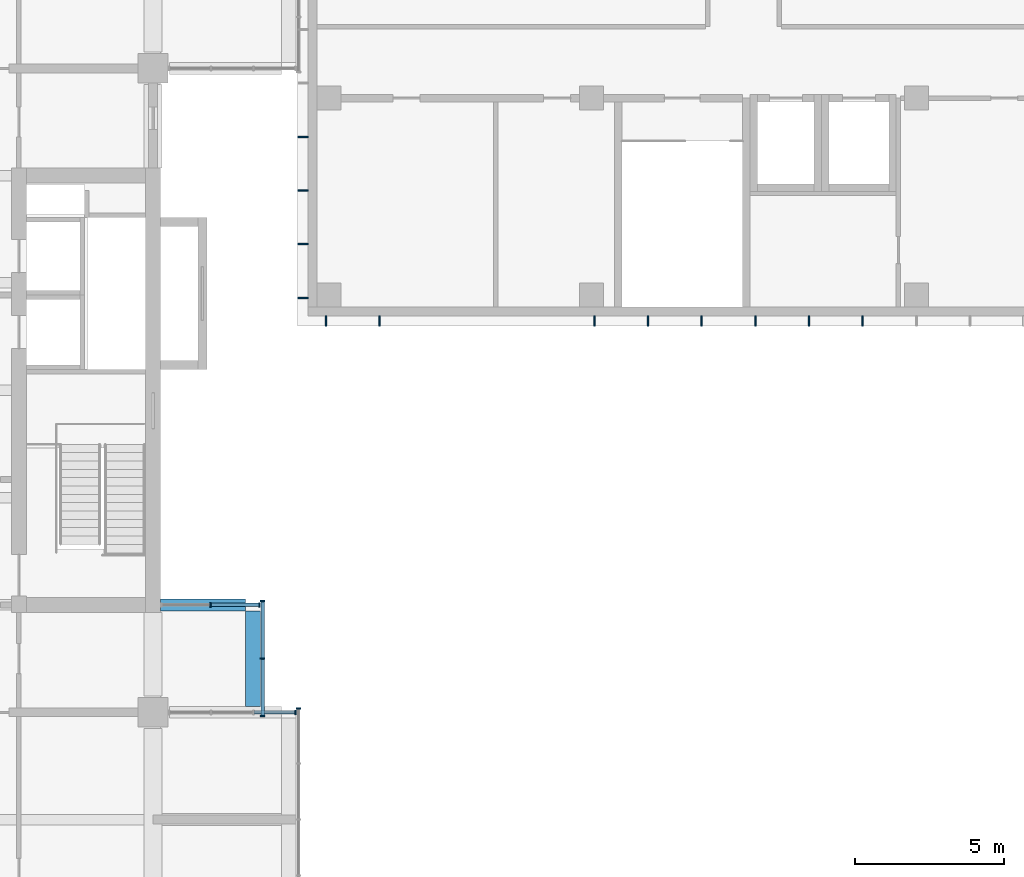
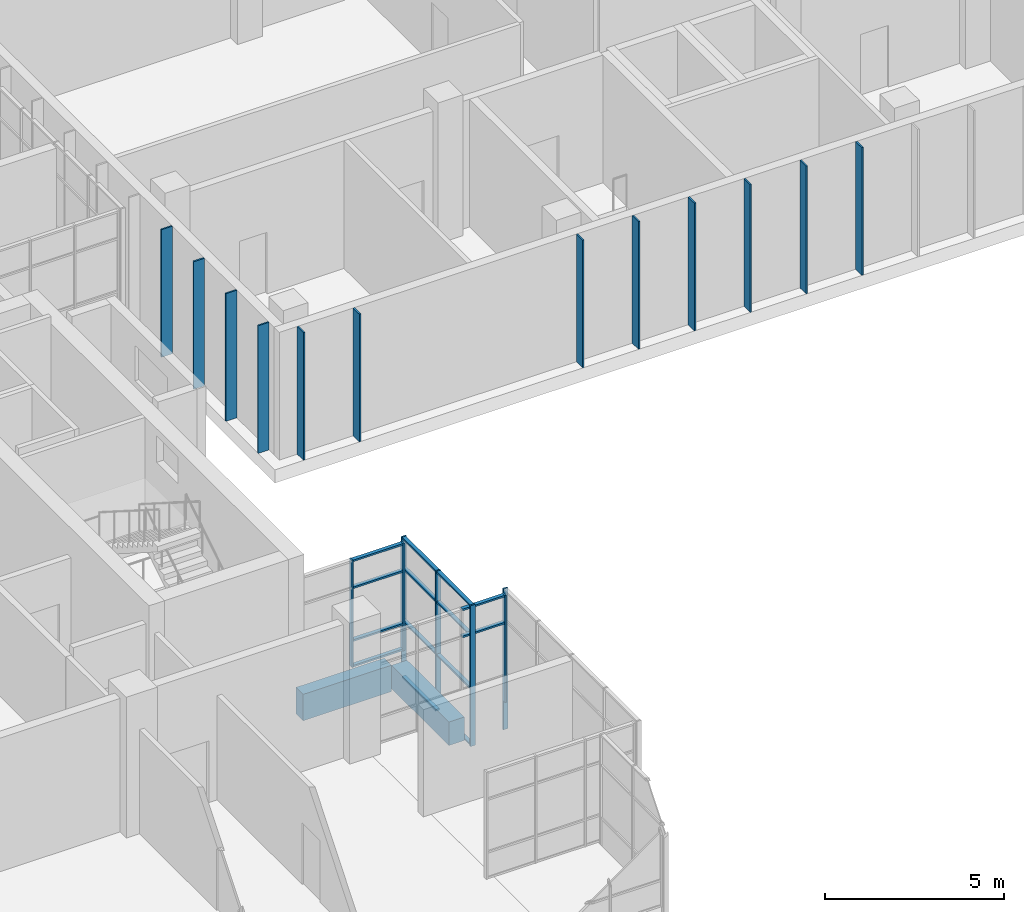
# One storey, part 17 of 45: 33 members, 2 beams, 4 elements without a shape of their own.
"""IFC4 building model written with IfcOpenShell, lengths in metres."""

import ifcopenshell
import ifcopenshell.guid

model = None  # the IFC model being written
_history = None  # IfcOwnerHistory: only IFC2X3 demands one
_inside = {}  # id of a spatial element -> (the spatial element, [elements in it])
_under = {}  # id of a project, library or spatial element -> (it, [spatial elements below it])
_declared = {}  # id of a project -> (the project, [libraries it declares])
_typed = {}  # id of a type object -> (the type object, [elements of that type])
_made_of = {}  # id of a material, layer set ... -> (it, [elements and type objects made of it])


def new_model(schema):
    """Start an empty IFC model of exactly this schema.

    Asked for "IFC4X3", IfcOpenShell would pick the latest addendum, in which some entities
    have other attributes; the version numbers below select the first issue.
    IFC2X3 requires an IfcOwnerHistory on every rooted entity: one is made here for all.
    """
    global model, _history
    if schema == "IFC4X3":
        model = ifcopenshell.file(schema_version=(4, 3, 0, 0))
    else:
        model = ifcopenshell.file(schema=schema)
    _inside.clear()
    _under.clear()
    _declared.clear()
    _typed.clear()
    _made_of.clear()
    _history = None
    if model.schema == "IFC2X3":
        org = make("IfcOrganization", Name="unknown")
        user = make(
            "IfcPersonAndOrganization",
            ThePerson=make("IfcPerson", FamilyName="unknown"),
            TheOrganization=org,
        )
        app = make(
            "IfcApplication",
            ApplicationDeveloper=org,
            Version="unknown",
            ApplicationFullName="unknown",
            ApplicationIdentifier="unknown",
        )
        _history = make(
            "IfcOwnerHistory",
            OwningUser=user,
            OwningApplication=app,
            ChangeAction="ADDED",
            CreationDate=0,
        )
    return model


def make(cls, **values):
    """One entity of the class cls with the attributes given. An attribute that is None is left unset."""
    return model.create_entity(
        cls, **{name: value for name, value in values.items() if value is not None}
    )


def rooted(cls, **values):
    """An entity with a GlobalId (a new one), such as an element, a storey or a relation."""
    return make(cls, GlobalId=ifcopenshell.guid.new(), OwnerHistory=_history, **values)


def si_unit(unit_type, name, prefix=None):
    """IfcSIUnit, for example si_unit("LENGTHUNIT", "METRE", prefix="MILLI")."""
    return make("IfcSIUnit", UnitType=unit_type, Prefix=prefix, Name=name)


def assignment(units):
    """IfcUnitAssignment: the units of a project."""
    return None if units is None else make("IfcUnitAssignment", Units=units)


def point(xyz):
    """IfcCartesianPoint."""
    return None if xyz is None else make("IfcCartesianPoint", Coordinates=xyz)


def direction(xyz):
    """IfcDirection."""
    return None if xyz is None else make("IfcDirection", DirectionRatios=xyz)


def frame(location, z_axis=None, x_axis=None):
    """IfcAxis2Placement3D, a coordinate frame: its origin and axes. An axis left out is left unset."""
    return make(
        "IfcAxis2Placement3D",
        Location=point(location),
        Axis=direction(z_axis),
        RefDirection=direction(x_axis),
    )


def frame_2d(location, x_axis=None):
    """IfcAxis2Placement2D, a coordinate frame in the plane: its origin and x axis."""
    return make(
        "IfcAxis2Placement2D", Location=point(location), RefDirection=direction(x_axis)
    )


def origin():
    """The frame at (0, 0, 0) with its axes left unset."""
    return frame((0.0, 0.0, 0.0))


def origin_2d():
    """The frame at (0, 0) in the plane with its x axis left unset."""
    return frame_2d((0.0, 0.0))


def place(relative_to, where):
    """IfcLocalPlacement: puts the frame where relative to a parent placement (None: the world)."""
    return make(
        "IfcLocalPlacement", PlacementRelTo=relative_to, RelativePlacement=where
    )


def context(
    kind, dimensions, precision=None, world=None, true_north=None, identifier=None
):
    """IfcGeometricRepresentationContext, for example the 3D "Model" context."""
    return make(
        "IfcGeometricRepresentationContext",
        ContextIdentifier=identifier,
        ContextType=kind,
        CoordinateSpaceDimension=dimensions,
        Precision=precision,
        WorldCoordinateSystem=world,
        TrueNorth=true_north,
    )


def subcontext(parent, identifier, kind, view, scale=None):
    """IfcGeometricRepresentationSubContext, for example "Body" below "Model"."""
    return make(
        "IfcGeometricRepresentationSubContext",
        ContextIdentifier=identifier,
        ContextType=kind,
        ParentContext=parent,
        TargetScale=scale,
        TargetView=view,
    )


def project(units=None, contexts=None):
    """IfcProject with its units and contexts."""
    return rooted(
        "IfcProject",
        Name="project",
        RepresentationContexts=contexts,
        UnitsInContext=assignment(units),
    )


def spatial(cls, under=None, at=None, **own):
    """A site, building, storey or space (cls), placed at a placement, below another one or the project."""
    s = rooted(cls, ObjectPlacement=at, **own)
    if under is not None:
        _under.setdefault(under.id(), (under, []))[1].append(s)
    return s


def profile(cls, at=None, kind="AREA", **sizes):
    """A parametric profile (cls). Its sizes go by their IFC names, for example OverallWidth=200.0."""
    return make(cls, ProfileType=kind, Position=at, **sizes)


def rectangle(**sizes):
    """IfcRectangleProfileDef."""
    return profile("IfcRectangleProfileDef", **sizes)


def extrude(swept, where, along, depth):
    """IfcExtrudedAreaSolid: the profile swept, set in the frame where, extruded along a direction by depth."""
    return make(
        "IfcExtrudedAreaSolid",
        SweptArea=swept,
        Position=where,
        ExtrudedDirection=direction(along),
        Depth=depth,
    )


def shape(context_of_items, identifier, shape_type, items):
    """IfcShapeRepresentation: the items that make up one representation, for example the "Body"."""
    return make(
        "IfcShapeRepresentation",
        ContextOfItems=context_of_items,
        RepresentationIdentifier=identifier,
        RepresentationType=shape_type,
        Items=items,
    )


def material(Name=None, Category=None):
    """IfcMaterial."""
    return make("IfcMaterial", Name=Name, Category=Category)


def layer(
    of_material, thickness, ventilated=None, Name=None, Category=None, Priority=None
):
    """IfcMaterialLayer: one layer of a wall or slab, of a material (None: an air gap)."""
    return make(
        "IfcMaterialLayer",
        Material=of_material,
        LayerThickness=thickness,
        IsVentilated=ventilated,
        Name=Name,
        Category=Category,
        Priority=Priority,
    )


def layer_set(layers, Name=None):
    """IfcMaterialLayerSet."""
    return make("IfcMaterialLayerSet", MaterialLayers=layers, LayerSetName=Name)


def material_profile(
    of_material, cross_section, Name=None, Category=None, Priority=None
):
    """IfcMaterialProfile: a cross section and its material."""
    return make(
        "IfcMaterialProfile",
        Name=Name,
        Material=of_material,
        Profile=cross_section,
        Priority=Priority,
        Category=Category,
    )


def profile_set(profiles, Name=None, composite=None):
    """IfcMaterialProfileSet."""
    return make(
        "IfcMaterialProfileSet",
        Name=Name,
        MaterialProfiles=profiles,
        CompositeProfile=composite,
    )


def made_of(thing, what):
    """Note that an element or type object is made of a material, layer set ...; save() writes the relation."""
    if what is not None:
        _made_of.setdefault(what.id(), (what, []))[1].append(thing)
    return thing


def type_object(cls, material=None, **own):
    """A type object (cls), such as IfcWallType, which elements share."""
    return made_of(rooted(cls, **own), material)


def element(
    cls,
    number,
    at=None,
    inside=None,
    cuts=None,
    type_object=None,
    material=None,
    context=None,
    identifier="Body",
    shape_type=None,
    held_by="IfcProductDefinitionShape",
    body=None,
    shapes=None,
    **own,
):
    """One element of the class cls, such as IfcWall. Its Tag is "e" and its number.

    at: its placement. inside: the storey or other place that contains it. cuts: it is an
    opening in that element (IfcRelVoidsElement). A single representation is given by context,
    identifier, shape_type and body (its items); several are given by shapes. held_by: the class
    of the entity that holds the representations. save() writes the other relations.
    """
    e = rooted(cls, Tag="e%d" % number, ObjectPlacement=at, **own)
    if body is not None:
        shapes = [shape(context, identifier, shape_type, body)]
    if shapes is not None:
        e.Representation = make(held_by, Representations=shapes)
    if inside is not None:
        _inside.setdefault(inside.id(), (inside, []))[1].append(e)
    if cuts is not None:
        rooted(
            "IfcRelVoidsElement", RelatingBuildingElement=cuts, RelatedOpeningElement=e
        )
    if type_object is not None:
        _typed.setdefault(type_object.id(), (type_object, []))[1].append(e)
    return made_of(e, material)


def aggregate(whole, parts):
    """IfcRelAggregates: a whole, such as a stair, and the parts it consists of."""
    return rooted("IfcRelAggregates", RelatingObject=whole, RelatedObjects=parts)


def save(model, path):
    """Write the relations noted so far, then the file.

    IfcRelAggregates (storeys below a building ...), IfcRelContainedInSpatialStructure (elements
    in a storey), IfcRelDefinesByType, IfcRelAssociatesMaterial and IfcRelDeclares: one each for
    every whole, place, type object, material and project.
    """
    for whole, parts in _under.values():
        aggregate(whole, parts)
    for where, things in _inside.values():
        rooted(
            "IfcRelContainedInSpatialStructure",
            RelatedElements=things,
            RelatingStructure=where,
        )
    for kind, things in _typed.values():
        rooted("IfcRelDefinesByType", RelatedObjects=things, RelatingType=kind)
    for what, things in _made_of.values():
        rooted("IfcRelAssociatesMaterial", RelatedObjects=things, RelatingMaterial=what)
    for by, libraries in _declared.values():
        rooted("IfcRelDeclares", RelatingContext=by, RelatedDefinitions=libraries)
    model.write(path)


model = new_model("IFC4")

# Units and contexts
model_context = context("Model", 3, precision=1e-05, world=origin(), true_north=direction((0.0, 1.0)))
body_context = subcontext(model_context, "Body", "Model", "MODEL_VIEW")
ifc_project = project(units=[si_unit("LENGTHUNIT", "METRE"), si_unit("AREAUNIT", "SQUARE_METRE"), si_unit("VOLUMEUNIT", "CUBIC_METRE"), si_unit("PLANEANGLEUNIT", "RADIAN"), si_unit("MASSUNIT", "GRAM", prefix="KILO")], contexts=[model_context])

# Site, building, storey
site_placement = place(None, origin())
site = spatial("IfcSite", under=ifc_project, at=site_placement, CompositionType="ELEMENT")
building_placement = place(site_placement, origin())
building = spatial("IfcBuilding", under=site, at=building_placement, Name="Basin Gate Institute", CompositionType="ELEMENT")
storey_placement = place(building_placement, frame((0.0, 0.0, 22.199951171875)))
storey = spatial("IfcBuildingStorey", under=building, at=storey_placement, Name="L04", CompositionType="ELEMENT", Elevation=22.199951171875)

# Beam
ifc_material_1 = material(Name="Concrete 50 MPa", Category="concrete")
ifc_material_profile_1 = material_profile(ifc_material_1, rectangle(XDim=0.39990234375, YDim=0.89990234375, at=origin_2d()), Name="Cantilever beam B3 400 x 900")
ifc_profile_set_1 = profile_set([ifc_material_profile_1], Name="Concrete 50 MPa")
beam_type_1 = type_object("IfcBeamType", Name="Cantilever beam B3 R120", PredefinedType="BEAM", material=ifc_profile_set_1)
beam_1_placement = place(storey_placement, frame((121.89990234375, 60.300048828125, -0.699951171875), z_axis=(-1.0, 0.0, 0.0), x_axis=(0.0, -1.0, 0.0)))
element("IfcBeam", 1, at=beam_1_placement, inside=storey, type_object=beam_type_1, material=ifc_profile_set_1, Name="BEAM/L04/E/CANT/08", PredefinedType="BEAM", context=body_context, shape_type="SweptSolid", body=[
    extrude(rectangle(XDim=0.39990234375, YDim=0.89990234375, at=origin_2d()), origin(), (0.0, 0.0, 1.0), 2.849853515625),
])

# Members
ifc_material_2 = material(Name="Anodised aluminium", Category="aluminium")
ifc_material_profile_2 = material_profile(ifc_material_2, rectangle(XDim=0.050048828125, YDim=0.35009765625, at=origin_2d()), Name="Louvre fin CF1 50 x 350")
ifc_profile_set_2 = profile_set([ifc_material_profile_2], Name="Anodised aluminium")
member_type_1 = type_object("IfcMemberType", Name="Louvre fin CF1", PredefinedType="PLATE", material=ifc_profile_set_2)
for number, where, z_axis, x_axis, name in (
    (2, (124.60009765625, 69.824951171875, 0.0), (0.0, 0.0, 1.0), (1.0, 0.0, 0.0), "Louvre fin CF1 S1 L04"),
    (3, (126.39990234375, 69.824951171875, 0.0), (0.0, 0.0, 1.0), (1.0, 0.0, 0.0), "Louvre fin CF1 S2 L04"),
    (4, (133.60009765625, 69.824951171875, 0.0), (0.0, 0.0, 1.0), (1.0, 0.0, 0.0), "Louvre fin CF1 S6 L04"),
    (5, (135.39990234375, 69.824951171875, 0.0), (0.0, 0.0, 1.0), (1.0, 0.0, 0.0), "Louvre fin CF1 S7 L04"),
    (6, (137.199951171875, 69.824951171875, 0.0), (0.0, 0.0, 1.0), (1.0, 0.0, 0.0), "Louvre fin CF1 S8 L04"),
    (7, (139.0, 69.824951171875, 0.0), (0.0, 0.0, 1.0), (1.0, 0.0, 0.0), "Louvre fin CF1 S9 L04"),
    (8, (140.800048828125, 69.824951171875, 0.0), (0.0, 0.0, 1.0), (1.0, 0.0, 0.0), "Louvre fin CF1 S10 L04"),
    (9, (142.60009765625, 69.824951171875, 0.0), (0.0, 0.0, 1.0), (1.0, 0.0, 0.0), "Louvre fin CF1 S11 L04"),
    (10, (123.824951171875, 70.60009765625, 0.0), (0.0, 0.0, 1.0), (0.0, 1.0, 0.0), "Louvre fin CF1 W1 L04"),
    (11, (123.824951171875, 72.39990234375, 0.0), (0.0, 0.0, 1.0), (0.0, 1.0, 0.0), "Louvre fin CF1 W2 L04"),
    (12, (123.824951171875, 74.199951171875, 0.0), (0.0, 0.0, 1.0), (0.0, 1.0, 0.0), "Louvre fin CF1 W3 L04"),
    (13, (123.824951171875, 76.0, 0.0), (0.0, 0.0, 1.0), (0.0, 1.0, 0.0), "Louvre fin CF1 W4 L04"),
):
    element("IfcMember", number, at=place(storey_placement, frame(where, z_axis=z_axis, x_axis=x_axis)), inside=storey, type_object=member_type_1, material=ifc_profile_set_2, Name=name, PredefinedType="PLATE", context=body_context, shape_type="SweptSolid", body=[
        extrude(rectangle(XDim=0.050048828125, YDim=0.35009765625, at=origin_2d()), origin(), (0.0, 0.0, 1.0), 4.35009765625),
    ])

# Curtain wall, member
ifc_material_3 = material(Name="Aluminium-framed glazing", Category="aluminium")
ifc_layer = layer(ifc_material_3, 0.14990234375)
ifc_layer_set = layer_set([ifc_layer], Name="Capsule front curtain wall CW1")
curtain_wall_type = type_object("IfcCurtainWallType", Name="Capsule front curtain wall CW1", PredefinedType="NOTDEFINED", material=ifc_layer_set)
curtain_wall_1_placement = place(storey_placement, origin())
curtain_wall_1 = element("IfcCurtainWall", 14, at=curtain_wall_1_placement, inside=storey, type_object=curtain_wall_type, material=ifc_layer_set, Name="Capsule front curtain wall E wing capsule end L04 line 7", PredefinedType="NOTDEFINED")
ifc_material_4 = material(Name="Aluminium", Category="aluminium")
ifc_material_profile_3 = material_profile(ifc_material_4, rectangle(XDim=0.14990234375, YDim=0.050048828125, at=origin_2d()), Name="Mullion MU1 150 x 50")
ifc_profile_set_3 = profile_set([ifc_material_profile_3], Name="Aluminium")
member_type_2 = type_object("IfcMemberType", Name="Mullion MU1", PredefinedType="MULLION", material=ifc_profile_set_3)
member_1_placement = place(storey_placement, frame((123.574951171875, 56.699951171875, 0.0), z_axis=(0.0, 0.0, 1.0), x_axis=(0.0, -1.0, 0.0)))
member_1 = element("IfcMember", 15, at=member_1_placement, type_object=member_type_2, material=ifc_profile_set_3, Name="CW1 mullion 1", PredefinedType="MULLION", context=body_context, shape_type="SweptSolid", body=[
    extrude(rectangle(XDim=0.14990234375, YDim=0.050048828125, at=origin_2d()), origin(), (0.0, 0.0, 1.0), 3.650146484375),
])

# Curtain wall, members
curtain_wall_2_placement = place(storey_placement, origin())
curtain_wall_2 = element("IfcCurtainWall", 16, at=curtain_wall_2_placement, inside=storey, type_object=curtain_wall_type, material=ifc_layer_set, Name="Capsule front curtain wall E wing capsule end L04 line 8", PredefinedType="NOTDEFINED")
member_2_placement = place(storey_placement, frame((122.375, 60.300048828125, 0.0), z_axis=(0.0, 0.0, 1.0), x_axis=(0.0, -1.0, 0.0)))
member_2 = element("IfcMember", 17, at=member_2_placement, type_object=member_type_2, material=ifc_profile_set_3, Name="CW1 mullion 1", PredefinedType="MULLION", context=body_context, shape_type="SweptSolid", body=[
    extrude(rectangle(XDim=0.14990234375, YDim=0.050048828125, at=origin_2d()), origin(), (0.0, 0.0, 1.0), 3.650146484375),
])
member_3_placement = place(storey_placement, frame((120.72509765625, 60.300048828125, 0.0), z_axis=(0.0, 0.0, 1.0), x_axis=(0.0, -1.0, 0.0)))
member_3 = element("IfcMember", 18, at=member_3_placement, type_object=member_type_2, material=ifc_profile_set_3, Name="CW1 mullion 2", PredefinedType="MULLION", context=body_context, shape_type="SweptSolid", body=[
    extrude(rectangle(XDim=0.14990234375, YDim=0.050048828125, at=origin_2d()), origin(), (0.0, 0.0, 1.0), 3.650146484375),
])

# Curtain wall, member
curtain_wall_3_placement = place(storey_placement, origin())
curtain_wall_3 = element("IfcCurtainWall", 19, at=curtain_wall_3_placement, inside=storey, type_object=curtain_wall_type, material=ifc_layer_set, Name="Capsule front curtain wall E wing capsule 1 L04 front 2", PredefinedType="NOTDEFINED")
member_4_placement = place(storey_placement, frame((123.675048828125, 56.824951171875, -1.050048828125), z_axis=(0.0, 0.0, 1.0), x_axis=(-1.0, 0.0, 0.0)))
member_4 = element("IfcMember", 20, at=member_4_placement, type_object=member_type_2, material=ifc_profile_set_3, Name="CW1 mullion 5", PredefinedType="MULLION", context=body_context, shape_type="SweptSolid", body=[
    extrude(rectangle(XDim=0.14990234375, YDim=0.050048828125, at=origin_2d()), origin(), (0.0, 0.0, 1.0), 4.800048828125),
])
aggregate(curtain_wall_3, [member_4])

# Curtain wall, members
curtain_wall_4_placement = place(storey_placement, origin())
curtain_wall_4 = element("IfcCurtainWall", 21, at=curtain_wall_4_placement, inside=storey, type_object=curtain_wall_type, material=ifc_layer_set, Name="Capsule front curtain wall E wing capsule 1 L04 front 4", PredefinedType="NOTDEFINED")
member_5_placement = place(storey_placement, frame((122.47509765625, 56.574951171875, -1.050048828125), z_axis=(0.0, 0.0, 1.0), x_axis=(-1.0, 0.0, 0.0)))
member_5 = element("IfcMember", 22, at=member_5_placement, type_object=member_type_2, material=ifc_profile_set_3, Name="CW1 mullion 1", PredefinedType="MULLION", context=body_context, shape_type="SweptSolid", body=[
    extrude(rectangle(XDim=0.14990234375, YDim=0.050048828125, at=origin_2d()), origin(), (0.0, 0.0, 1.0), 4.800048828125),
])
member_6_placement = place(storey_placement, frame((122.47509765625, 58.5, -1.050048828125), z_axis=(0.0, 0.0, 1.0), x_axis=(-1.0, 0.0, 0.0)))
member_6 = element("IfcMember", 23, at=member_6_placement, type_object=member_type_2, material=ifc_profile_set_3, Name="CW1 mullion 2", PredefinedType="MULLION", context=body_context, shape_type="SweptSolid", body=[
    extrude(rectangle(XDim=0.14990234375, YDim=0.050048828125, at=origin_2d()), origin(), (0.0, 0.0, 1.0), 4.800048828125),
])
member_7_placement = place(storey_placement, frame((122.47509765625, 60.425048828125, -1.050048828125), z_axis=(0.0, 0.0, 1.0), x_axis=(-1.0, 0.0, 0.0)))
member_7 = element("IfcMember", 24, at=member_7_placement, type_object=member_type_2, material=ifc_profile_set_3, Name="CW1 mullion 3", PredefinedType="MULLION", context=body_context, shape_type="SweptSolid", body=[
    extrude(rectangle(XDim=0.14990234375, YDim=0.050048828125, at=origin_2d()), origin(), (0.0, 0.0, 1.0), 4.800048828125),
])

# Beam
ifc_material_5 = material(Name="Concrete 50 MPa", Category="concrete")
ifc_material_profile_4 = material_profile(ifc_material_5, rectangle(XDim=0.5, YDim=0.800048828125, at=origin_2d()), Name="Tip beam TB1 500 x 800")
ifc_profile_set_4 = profile_set([ifc_material_profile_4], Name="Concrete 50 MPa")
beam_type_2 = type_object("IfcBeamType", Name="Tip beam TB1 R120", PredefinedType="SPANDREL", material=ifc_profile_set_4)
beam_2_placement = place(storey_placement, frame((122.14990234375, 56.89990234375, -0.64990234375), z_axis=(0.0, 1.0, 0.0), x_axis=(-1.0, 0.0, 0.0)))
element("IfcBeam", 25, at=beam_2_placement, inside=storey, type_object=beam_type_2, material=ifc_profile_set_4, Name="BEAM/L04/E/TIP/4", PredefinedType="SPANDREL", context=body_context, shape_type="SweptSolid", body=[
    extrude(rectangle(XDim=0.5, YDim=0.800048828125, at=origin_2d()), origin(), (0.0, 0.0, 1.0), 3.2001953125),
])

# Member
ifc_material_6 = material(Name="Aluminium", Category="aluminium")
ifc_material_profile_5 = material_profile(ifc_material_6, rectangle(XDim=0.1201171875, YDim=0.06005859375, at=origin_2d()), Name="Transom TR1 120 x 60")
ifc_profile_set_5 = profile_set([ifc_material_profile_5], Name="Aluminium")
member_type_3 = type_object("IfcMemberType", Name="Transom TR1", PredefinedType="USERDEFINED", material=ifc_profile_set_5)
member_8_placement = place(storey_placement, frame((123.550048828125, 56.699951171875, 2.699951171875), z_axis=(-1.0, 0.0, 0.0), x_axis=(0.0, -1.0, 0.0)))
member_8 = element("IfcMember", 26, at=member_8_placement, type_object=member_type_3, material=ifc_profile_set_5, Name="CW1 transom 1.3", ObjectType="TRANSOM", PredefinedType="USERDEFINED", context=body_context, shape_type="SweptSolid", body=[
    extrude(rectangle(XDim=0.1201171875, YDim=0.06005859375, at=origin_2d()), origin(), (0.0, 0.0, 1.0), 1.3583984375),
])

member_9_placement = place(storey_placement, frame((123.550048828125, 56.699951171875, 3.6201171875), z_axis=(-1.0, 0.0, 0.0), x_axis=(0.0, -1.0, 0.0)))
member_9 = element("IfcMember", 27, at=member_9_placement, type_object=member_type_3, material=ifc_profile_set_5, Name="CW1 transom 1.4", ObjectType="TRANSOM", PredefinedType="USERDEFINED", context=body_context, shape_type="SweptSolid", body=[
    extrude(rectangle(XDim=0.1201171875, YDim=0.06005859375, at=origin_2d()), origin(), (0.0, 0.0, 1.0), 1.3583984375),
])

aggregate(curtain_wall_1, [member_1, member_8, member_9])

member_10_placement = place(storey_placement, frame((122.35009765625, 60.300048828125, 0.030029296875), z_axis=(-1.0, 0.0, 0.0), x_axis=(0.0, -1.0, 0.0)))
member_10 = element("IfcMember", 28, at=member_10_placement, type_object=member_type_3, material=ifc_profile_set_5, Name="CW1 transom 1.1", ObjectType="TRANSOM", PredefinedType="USERDEFINED", context=body_context, shape_type="SweptSolid", body=[
    extrude(rectangle(XDim=0.1201171875, YDim=0.06005859375, at=origin_2d()), origin(), (0.0, 0.0, 1.0), 1.60009765625),
])

member_11_placement = place(storey_placement, frame((122.35009765625, 60.300048828125, 0.900146484375), z_axis=(-1.0, 0.0, 0.0), x_axis=(0.0, -1.0, 0.0)))
member_11 = element("IfcMember", 29, at=member_11_placement, type_object=member_type_3, material=ifc_profile_set_5, Name="CW1 transom 1.2", ObjectType="TRANSOM", PredefinedType="USERDEFINED", context=body_context, shape_type="SweptSolid", body=[
    extrude(rectangle(XDim=0.1201171875, YDim=0.06005859375, at=origin_2d()), origin(), (0.0, 0.0, 1.0), 1.60009765625),
])

member_12_placement = place(storey_placement, frame((122.35009765625, 60.300048828125, 2.699951171875), z_axis=(-1.0, 0.0, 0.0), x_axis=(0.0, -1.0, 0.0)))
member_12 = element("IfcMember", 30, at=member_12_placement, type_object=member_type_3, material=ifc_profile_set_5, Name="CW1 transom 1.3", ObjectType="TRANSOM", PredefinedType="USERDEFINED", context=body_context, shape_type="SweptSolid", body=[
    extrude(rectangle(XDim=0.1201171875, YDim=0.06005859375, at=origin_2d()), origin(), (0.0, 0.0, 1.0), 1.60009765625),
])

member_13_placement = place(storey_placement, frame((122.35009765625, 60.300048828125, 3.6201171875), z_axis=(-1.0, 0.0, 0.0), x_axis=(0.0, -1.0, 0.0)))
member_13 = element("IfcMember", 31, at=member_13_placement, type_object=member_type_3, material=ifc_profile_set_5, Name="CW1 transom 1.4", ObjectType="TRANSOM", PredefinedType="USERDEFINED", context=body_context, shape_type="SweptSolid", body=[
    extrude(rectangle(XDim=0.1201171875, YDim=0.06005859375, at=origin_2d()), origin(), (0.0, 0.0, 1.0), 1.60009765625),
])

aggregate(curtain_wall_2, [member_2, member_3, member_10, member_11, member_12, member_13])

member_14_placement = place(storey_placement, frame((122.47509765625, 56.60009765625, -1.02001953125), z_axis=(0.0, 1.0, 0.0), x_axis=(-1.0, 0.0, 0.0)))
member_14 = element("IfcMember", 32, at=member_14_placement, type_object=member_type_3, material=ifc_profile_set_5, Name="CW1 transom 1.1", ObjectType="TRANSOM", PredefinedType="USERDEFINED", context=body_context, shape_type="SweptSolid", body=[
    extrude(rectangle(XDim=0.1201171875, YDim=0.06005859375, at=origin_2d()), origin(), (0.0, 0.0, 1.0), 1.875),
])

member_15_placement = place(storey_placement, frame((122.47509765625, 56.60009765625, 0.900146484375), z_axis=(0.0, 1.0, 0.0), x_axis=(-1.0, 0.0, 0.0)))
member_15 = element("IfcMember", 33, at=member_15_placement, type_object=member_type_3, material=ifc_profile_set_5, Name="CW1 transom 1.2", ObjectType="TRANSOM", PredefinedType="USERDEFINED", context=body_context, shape_type="SweptSolid", body=[
    extrude(rectangle(XDim=0.1201171875, YDim=0.06005859375, at=origin_2d()), origin(), (0.0, 0.0, 1.0), 1.875),
])

member_16_placement = place(storey_placement, frame((122.47509765625, 56.60009765625, 2.699951171875), z_axis=(0.0, 1.0, 0.0), x_axis=(-1.0, 0.0, 0.0)))
member_16 = element("IfcMember", 34, at=member_16_placement, type_object=member_type_3, material=ifc_profile_set_5, Name="CW1 transom 1.3", ObjectType="TRANSOM", PredefinedType="USERDEFINED", context=body_context, shape_type="SweptSolid", body=[
    extrude(rectangle(XDim=0.1201171875, YDim=0.06005859375, at=origin_2d()), origin(), (0.0, 0.0, 1.0), 1.875),
])

member_17_placement = place(storey_placement, frame((122.47509765625, 56.60009765625, 3.719970703125), z_axis=(0.0, 1.0, 0.0), x_axis=(-1.0, 0.0, 0.0)))
member_17 = element("IfcMember", 35, at=member_17_placement, type_object=member_type_3, material=ifc_profile_set_5, Name="CW1 transom 1.4", ObjectType="TRANSOM", PredefinedType="USERDEFINED", context=body_context, shape_type="SweptSolid", body=[
    extrude(rectangle(XDim=0.1201171875, YDim=0.06005859375, at=origin_2d()), origin(), (0.0, 0.0, 1.0), 1.875),
])

member_18_placement = place(storey_placement, frame((122.47509765625, 58.52490234375, -1.02001953125), z_axis=(0.0, 1.0, 0.0), x_axis=(-1.0, 0.0, 0.0)))
member_18 = element("IfcMember", 36, at=member_18_placement, type_object=member_type_3, material=ifc_profile_set_5, Name="CW1 transom 2.1", ObjectType="TRANSOM", PredefinedType="USERDEFINED", context=body_context, shape_type="SweptSolid", body=[
    extrude(rectangle(XDim=0.1201171875, YDim=0.06005859375, at=origin_2d()), origin(), (0.0, 0.0, 1.0), 1.875),
])

member_19_placement = place(storey_placement, frame((122.47509765625, 58.52490234375, 0.900146484375), z_axis=(0.0, 1.0, 0.0), x_axis=(-1.0, 0.0, 0.0)))
member_19 = element("IfcMember", 37, at=member_19_placement, type_object=member_type_3, material=ifc_profile_set_5, Name="CW1 transom 2.2", ObjectType="TRANSOM", PredefinedType="USERDEFINED", context=body_context, shape_type="SweptSolid", body=[
    extrude(rectangle(XDim=0.1201171875, YDim=0.06005859375, at=origin_2d()), origin(), (0.0, 0.0, 1.0), 1.875),
])

member_20_placement = place(storey_placement, frame((122.47509765625, 58.52490234375, 2.699951171875), z_axis=(0.0, 1.0, 0.0), x_axis=(-1.0, 0.0, 0.0)))
member_20 = element("IfcMember", 38, at=member_20_placement, type_object=member_type_3, material=ifc_profile_set_5, Name="CW1 transom 2.3", ObjectType="TRANSOM", PredefinedType="USERDEFINED", context=body_context, shape_type="SweptSolid", body=[
    extrude(rectangle(XDim=0.1201171875, YDim=0.06005859375, at=origin_2d()), origin(), (0.0, 0.0, 1.0), 1.875),
])

member_21_placement = place(storey_placement, frame((122.47509765625, 58.52490234375, 3.719970703125), z_axis=(0.0, 1.0, 0.0), x_axis=(-1.0, 0.0, 0.0)))
member_21 = element("IfcMember", 39, at=member_21_placement, type_object=member_type_3, material=ifc_profile_set_5, Name="CW1 transom 2.4", ObjectType="TRANSOM", PredefinedType="USERDEFINED", context=body_context, shape_type="SweptSolid", body=[
    extrude(rectangle(XDim=0.1201171875, YDim=0.06005859375, at=origin_2d()), origin(), (0.0, 0.0, 1.0), 1.875),
])

aggregate(curtain_wall_4, [member_5, member_6, member_7, member_14, member_15, member_16, member_17, member_18, member_19, member_20, member_21])

save(model, "model.ifc")
